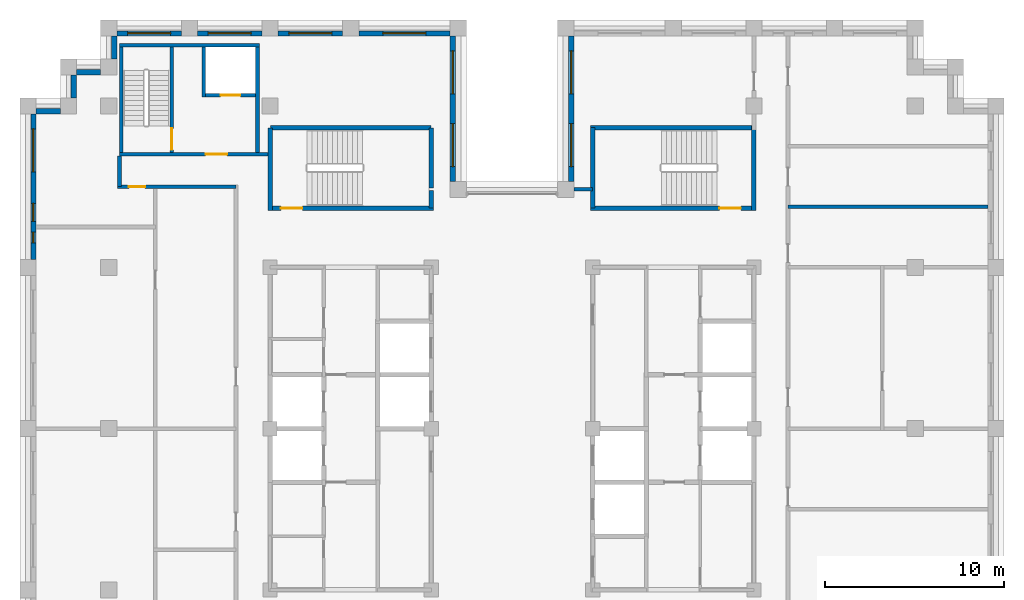
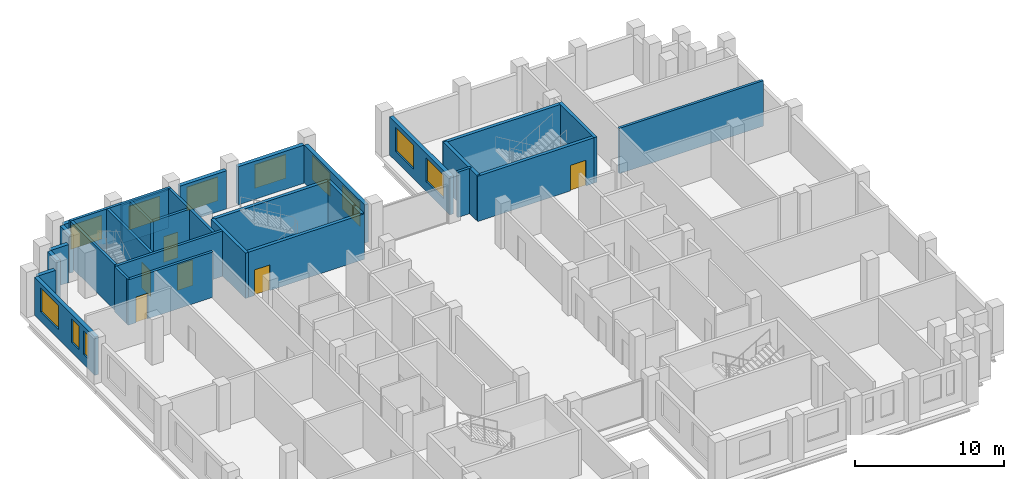
# One storey, part 10 of 13: 31 walls, 11 windows, 6 doors, 17 openings.
"""IFC4 building model written with IfcOpenShell, lengths in metres."""

from ifc_helpers import new_model, si_unit, direction, frame, frame_2d, origin, place, context, subcontext, project, spatial, rectangle, extrude, material, layer, layer_set, type_object, element, fill, save


model = new_model("IFC4")

# Units and contexts
model_context = context("Model", 3, precision=1e-05, world=origin(), true_north=direction((0.0, 1.0)))
body_context = subcontext(model_context, "Body", "Model", "MODEL_VIEW")
ifc_project = project(units=[si_unit("LENGTHUNIT", "METRE"), si_unit("AREAUNIT", "SQUARE_METRE"), si_unit("VOLUMEUNIT", "CUBIC_METRE"), si_unit("PLANEANGLEUNIT", "RADIAN"), si_unit("MASSUNIT", "GRAM", prefix="KILO")], contexts=[model_context])

# Site, building, storey
site_placement = place(None, origin())
site = spatial("IfcSite", under=ifc_project, at=site_placement, CompositionType="ELEMENT")
building_placement = place(site_placement, origin())
building = spatial("IfcBuilding", under=site, at=building_placement, Name="Corbelhall Arena Tower", CompositionType="ELEMENT")
storey_placement = place(building_placement, frame((0.0, 0.0, 262.0)))
storey = spatial("IfcBuildingStorey", under=building, at=storey_placement, Name="L56", CompositionType="ELEMENT", Elevation=262.0)

# Walls
ifc_material_1 = material(Name="Precast concrete C40/50 with granite facing", Category="masonry")
ifc_layer_1 = layer(ifc_material_1, 0.300048828125)
ifc_layer_set_1 = layer_set([ifc_layer_1], Name="EV-IW1 Infill panel 300")
wall_type_1 = type_object("IfcWallType", Name="EV-IW1 Infill panel 300", PredefinedType="SOLIDWALL", material=ifc_layer_set_1)
wall_1_placement = place(storey_placement, frame((-24.449951171875, 19.72509765625, 0.0), z_axis=(0.0, 0.0, 1.0), x_axis=(0.0, -1.0, 0.0)))
element("IfcWall", 1, at=wall_1_placement, inside=storey, type_object=wall_type_1, Name="Infill panel IW1", PredefinedType="SOLIDWALL", context=body_context, shape_type="SweptSolid", body=[
    extrude(rectangle(XDim=1.275146484375, YDim=0.300048828125, at=frame_2d((0.6376953125, 0.0))), origin(), (0.0, 0.0, 1.0), 3.1201171875),
])
wall_2_placement = place(storey_placement, frame((-25.199951171875, 17.699951171875, 0.0), z_axis=(0.0, 0.0, 1.0), x_axis=(-1.0, 0.0, 0.0)))
element("IfcWall", 2, at=wall_2_placement, inside=storey, type_object=wall_type_1, Name="Infill panel IW1", PredefinedType="SOLIDWALL", context=body_context, shape_type="SweptSolid", body=[
    extrude(rectangle(XDim=1.35009765625, YDim=0.300048828125, at=frame_2d((0.675048828125, 0.0))), origin(), (0.0, 0.0, 1.0), 3.1201171875),
])

# Wall, openings, windows
wall_3_placement = place(storey_placement, frame((-26.699951171875, 17.550048828125, 0.0), z_axis=(0.0, 0.0, 1.0), x_axis=(0.0, -1.0, 0.0)))
wall_3 = element("IfcWall", 3, at=wall_3_placement, inside=storey, type_object=wall_type_1, Name="Infill panel IW1", PredefinedType="SOLIDWALL", context=body_context, shape_type="SweptSolid", body=[
    extrude(rectangle(XDim=8.10009765625, YDim=0.300048828125, at=frame_2d((4.050048828125, 0.0))), origin(), (0.0, 0.0, 1.0), 3.1201171875),
])
opening_1_placement = place(wall_3_placement, frame((0.824951171875, 0.0, 0.800048828125)))
opening_1 = element("IfcOpeningElement", 4, at=opening_1_placement, cuts=wall_3, Name="Opening WN1", PredefinedType="OPENING", context=body_context, shape_type="SweptSolid", body=[
    extrude(rectangle(XDim=2.39990234375, YDim=1.949951171875, at=frame_2d((1.199951171875, 0.97509765625))), frame((0.0, 0.14990234375, 0.0), z_axis=(0.0, -1.0, 0.0), x_axis=(1.0, 0.0, 0.0)), (0.0, 0.0, 1.0), 0.300048828125),
])
opening_2_placement = place(wall_3_placement, frame((4.987548828125, 0.0, 0.800048828125)))
opening_2 = element("IfcOpeningElement", 5, at=opening_2_placement, cuts=wall_3, Name="Opening WN6", PredefinedType="OPENING", context=body_context, shape_type="SweptSolid", body=[
    extrude(rectangle(XDim=1.0, YDim=1.949951171875, at=frame_2d((0.5, 0.97509765625))), frame((0.0, 0.14990234375, 0.0), z_axis=(0.0, -1.0, 0.0), x_axis=(1.0, 0.0, 0.0)), (0.0, 0.0, 1.0), 0.300048828125),
])
opening_3_placement = place(wall_3_placement, frame((6.58740234375, 0.0, 0.800048828125)))
opening_3 = element("IfcOpeningElement", 6, at=opening_3_placement, cuts=wall_3, Name="Opening WN5", PredefinedType="OPENING", context=body_context, shape_type="SweptSolid", body=[
    extrude(rectangle(XDim=0.60009765625, YDim=1.949951171875, at=frame_2d((0.300048828125, 0.97509765625))), frame((0.0, 0.14990234375, 0.0), z_axis=(0.0, -1.0, 0.0), x_axis=(1.0, 0.0, 0.0)), (0.0, 0.0, 1.0), 0.300048828125),
])
ifc_material_2 = material(Name="Aluminium black anodised", Category="aluminium")
window_type_1 = type_object("IfcWindowType", Name="EV-WN1 Office window", PartitioningType="SINGLE_PANEL", PredefinedType="WINDOW", material=ifc_material_2)
window_1_placement = place(opening_1_placement, origin())
window_1 = element("IfcWindow", 7, at=window_1_placement, inside=storey, type_object=window_type_1, Name="Window WN1", OverallHeight=1.949951171875, OverallWidth=2.39990234375, PartitioningType="SINGLE_PANEL", PredefinedType="WINDOW", context=body_context, shape_type="SweptSolid", body=[
    extrude(rectangle(XDim=2.39990234375, YDim=1.949951171875, at=frame_2d((1.199951171875, 0.97509765625))), frame((0.0, 0.030029296875, 0.0), z_axis=(0.0, -1.0, 0.0), x_axis=(1.0, 0.0, 0.0)), (0.0, 0.0, 1.0), 0.06005859375),
])
fill(opening_1, window_1)
window_type_2 = type_object("IfcWindowType", Name="EV-WN5 Office window 600", PartitioningType="SINGLE_PANEL", PredefinedType="WINDOW", material=ifc_material_2)
window_2_placement = place(opening_3_placement, origin())
window_2 = element("IfcWindow", 8, at=window_2_placement, inside=storey, type_object=window_type_2, Name="Window WN5", OverallHeight=1.949951171875, OverallWidth=0.60009765625, PartitioningType="SINGLE_PANEL", PredefinedType="WINDOW", context=body_context, shape_type="SweptSolid", body=[
    extrude(rectangle(XDim=0.60009765625, YDim=1.949951171875, at=frame_2d((0.300048828125, 0.97509765625))), frame((0.0, 0.030029296875, 0.0), z_axis=(0.0, -1.0, 0.0), x_axis=(1.0, 0.0, 0.0)), (0.0, 0.0, 1.0), 0.06005859375),
])
fill(opening_3, window_2)
window_type_3 = type_object("IfcWindowType", Name="EV-WN6 Office window 1000", PartitioningType="SINGLE_PANEL", PredefinedType="WINDOW", material=ifc_material_2)
window_3_placement = place(opening_2_placement, origin())
window_3 = element("IfcWindow", 9, at=window_3_placement, inside=storey, type_object=window_type_3, Name="Window WN6", OverallHeight=1.949951171875, OverallWidth=1.0, PartitioningType="SINGLE_PANEL", PredefinedType="WINDOW", context=body_context, shape_type="SweptSolid", body=[
    extrude(rectangle(XDim=1.0, YDim=1.949951171875, at=frame_2d((0.5, 0.97509765625))), frame((0.0, 0.030029296875, 0.0), z_axis=(0.0, -1.0, 0.0), x_axis=(1.0, 0.0, 0.0)), (0.0, 0.0, 1.0), 0.06005859375),
])
fill(opening_2, window_3)

wall_4_placement = place(storey_placement, frame((3.300048828125, 21.89990234375, 0.0), z_axis=(0.0, 0.0, 1.0), x_axis=(0.0, -1.0, 0.0)))
wall_4 = element("IfcWall", 10, at=wall_4_placement, inside=storey, type_object=wall_type_1, Name="Infill panel IW1", PredefinedType="SOLIDWALL", context=body_context, shape_type="SweptSolid", body=[
    extrude(rectangle(XDim=8.099853515625, YDim=0.300048828125, at=frame_2d((4.0498046875, 0.0))), origin(), (0.0, 0.0, 1.0), 3.1201171875),
])
opening_4_placement = place(wall_4_placement, frame((0.824951171875, 0.0, 0.800048828125)))
opening_4 = element("IfcOpeningElement", 11, at=opening_4_placement, cuts=wall_4, Name="Opening WN1", PredefinedType="OPENING", context=body_context, shape_type="SweptSolid", body=[
    extrude(rectangle(XDim=2.39990234375, YDim=1.949951171875, at=frame_2d((1.199951171875, 0.97509765625))), frame((0.0, 0.14990234375, 0.0), z_axis=(0.0, -1.0, 0.0), x_axis=(1.0, 0.0, 0.0)), (0.0, 0.0, 1.0), 0.300048828125),
])
opening_5_placement = place(wall_4_placement, frame((4.875, 0.0, 0.800048828125)))
opening_5 = element("IfcOpeningElement", 12, at=opening_5_placement, cuts=wall_4, Name="Opening WN1", PredefinedType="OPENING", context=body_context, shape_type="SweptSolid", body=[
    extrude(rectangle(XDim=2.39990234375, YDim=1.949951171875, at=frame_2d((1.199951171875, 0.97509765625))), frame((0.0, 0.14990234375, 0.0), z_axis=(0.0, -1.0, 0.0), x_axis=(1.0, 0.0, 0.0)), (0.0, 0.0, 1.0), 0.300048828125),
])
window_4_placement = place(opening_4_placement, origin())
window_4 = element("IfcWindow", 13, at=window_4_placement, inside=storey, type_object=window_type_1, Name="Window WN1", OverallHeight=1.949951171875, OverallWidth=2.39990234375, PartitioningType="SINGLE_PANEL", PredefinedType="WINDOW", context=body_context, shape_type="SweptSolid", body=[
    extrude(rectangle(XDim=2.39990234375, YDim=1.949951171875, at=frame_2d((1.199951171875, 0.97509765625))), frame((0.0, 0.030029296875, 0.0), z_axis=(0.0, -1.0, 0.0), x_axis=(1.0, 0.0, 0.0)), (0.0, 0.0, 1.0), 0.06005859375),
])
fill(opening_4, window_4)
window_5_placement = place(opening_5_placement, origin())
window_5 = element("IfcWindow", 14, at=window_5_placement, inside=storey, type_object=window_type_1, Name="Window WN1", OverallHeight=1.949951171875, OverallWidth=2.39990234375, PartitioningType="SINGLE_PANEL", PredefinedType="WINDOW", context=body_context, shape_type="SweptSolid", body=[
    extrude(rectangle(XDim=2.39990234375, YDim=1.949951171875, at=frame_2d((1.199951171875, 0.97509765625))), frame((0.0, 0.030029296875, 0.0), z_axis=(0.0, -1.0, 0.0), x_axis=(1.0, 0.0, 0.0)), (0.0, 0.0, 1.0), 0.06005859375),
])
fill(opening_5, window_5)

wall_5_placement = place(storey_placement, frame((-3.300048828125, 13.800048828125, 0.0), z_axis=(0.0, 0.0, 1.0), x_axis=(0.0, 1.0, 0.0)))
wall_5 = element("IfcWall", 15, at=wall_5_placement, inside=storey, type_object=wall_type_1, Name="Infill panel IW1", PredefinedType="SOLIDWALL", context=body_context, shape_type="SweptSolid", body=[
    extrude(rectangle(XDim=8.099853515625, YDim=0.300048828125, at=frame_2d((4.0498046875, 0.0))), origin(), (0.0, 0.0, 1.0), 3.1201171875),
])
opening_6_placement = place(wall_5_placement, frame((0.824951171875, 0.0, 0.800048828125)))
opening_6 = element("IfcOpeningElement", 16, at=opening_6_placement, cuts=wall_5, Name="Opening WN1", PredefinedType="OPENING", context=body_context, shape_type="SweptSolid", body=[
    extrude(rectangle(XDim=2.39990234375, YDim=1.949951171875, at=frame_2d((1.199951171875, 0.97509765625))), frame((0.0, 0.14990234375, 0.0), z_axis=(0.0, -1.0, 0.0), x_axis=(1.0, 0.0, 0.0)), (0.0, 0.0, 1.0), 0.300048828125),
])
opening_7_placement = place(wall_5_placement, frame((4.875, 0.0, 0.800048828125)))
opening_7 = element("IfcOpeningElement", 17, at=opening_7_placement, cuts=wall_5, Name="Opening WN1", PredefinedType="OPENING", context=body_context, shape_type="SweptSolid", body=[
    extrude(rectangle(XDim=2.39990234375, YDim=1.949951171875, at=frame_2d((1.199951171875, 0.97509765625))), frame((0.0, 0.14990234375, 0.0), z_axis=(0.0, -1.0, 0.0), x_axis=(1.0, 0.0, 0.0)), (0.0, 0.0, 1.0), 0.300048828125),
])
window_6_placement = place(opening_6_placement, origin())
window_6 = element("IfcWindow", 18, at=window_6_placement, inside=storey, type_object=window_type_1, Name="Window WN1", OverallHeight=1.949951171875, OverallWidth=2.39990234375, PartitioningType="SINGLE_PANEL", PredefinedType="WINDOW", context=body_context, shape_type="SweptSolid", body=[
    extrude(rectangle(XDim=2.39990234375, YDim=1.949951171875, at=frame_2d((1.199951171875, 0.97509765625))), frame((0.0, 0.030029296875, 0.0), z_axis=(0.0, -1.0, 0.0), x_axis=(1.0, 0.0, 0.0)), (0.0, 0.0, 1.0), 0.06005859375),
])
fill(opening_6, window_6)
window_7_placement = place(opening_7_placement, origin())
window_7 = element("IfcWindow", 19, at=window_7_placement, inside=storey, type_object=window_type_1, Name="Window WN1", OverallHeight=1.949951171875, OverallWidth=2.39990234375, PartitioningType="SINGLE_PANEL", PredefinedType="WINDOW", context=body_context, shape_type="SweptSolid", body=[
    extrude(rectangle(XDim=2.39990234375, YDim=1.949951171875, at=frame_2d((1.199951171875, 0.97509765625))), frame((0.0, 0.030029296875, 0.0), z_axis=(0.0, -1.0, 0.0), x_axis=(1.0, 0.0, 0.0)), (0.0, 0.0, 1.0), 0.06005859375),
])
fill(opening_7, window_7)

# Wall, opening, window
wall_6_placement = place(storey_placement, frame((-3.449951171875, 22.050048828125, 0.0), z_axis=(0.0, 0.0, 1.0), x_axis=(-1.0, 0.0, 0.0)))
wall_6 = element("IfcWall", 20, at=wall_6_placement, inside=storey, type_object=wall_type_1, Name="Infill panel IW1", PredefinedType="SOLIDWALL", context=body_context, shape_type="SweptSolid", body=[
    extrude(rectangle(XDim=5.10009765625, YDim=0.300048828125, at=frame_2d((2.550048828125, 0.0))), origin(), (0.0, 0.0, 1.0), 3.1201171875),
])
opening_8_placement = place(wall_6_placement, frame((1.35009765625, 0.0, 0.800048828125)))
opening_8 = element("IfcOpeningElement", 21, at=opening_8_placement, cuts=wall_6, Name="Opening WN1", PredefinedType="OPENING", context=body_context, shape_type="SweptSolid", body=[
    extrude(rectangle(XDim=2.39990234375, YDim=1.949951171875, at=frame_2d((1.199951171875, 0.97509765625))), frame((0.0, 0.14990234375, 0.0), z_axis=(0.0, -1.0, 0.0), x_axis=(1.0, 0.0, 0.0)), (0.0, 0.0, 1.0), 0.300048828125),
])
window_8_placement = place(opening_8_placement, origin())
window_8 = element("IfcWindow", 22, at=window_8_placement, inside=storey, type_object=window_type_1, Name="Window WN1", OverallHeight=1.949951171875, OverallWidth=2.39990234375, PartitioningType="SINGLE_PANEL", PredefinedType="WINDOW", context=body_context, shape_type="SweptSolid", body=[
    extrude(rectangle(XDim=2.39990234375, YDim=1.949951171875, at=frame_2d((1.199951171875, 0.97509765625))), frame((0.0, 0.030029296875, 0.0), z_axis=(0.0, -1.0, 0.0), x_axis=(1.0, 0.0, 0.0)), (0.0, 0.0, 1.0), 0.06005859375),
])
fill(opening_8, window_8)

wall_7_placement = place(storey_placement, frame((-9.449951171875, 22.050048828125, 0.0), z_axis=(0.0, 0.0, 1.0), x_axis=(-1.0, 0.0, 0.0)))
wall_7 = element("IfcWall", 23, at=wall_7_placement, inside=storey, type_object=wall_type_1, Name="Infill panel IW1", PredefinedType="SOLIDWALL", context=body_context, shape_type="SweptSolid", body=[
    extrude(rectangle(XDim=3.60009765625, YDim=0.300048828125, at=frame_2d((1.800048828125, 0.0))), origin(), (0.0, 0.0, 1.0), 3.1201171875),
])
opening_9_placement = place(wall_7_placement, frame((0.60009765625, 0.0, 0.800048828125)))
opening_9 = element("IfcOpeningElement", 24, at=opening_9_placement, cuts=wall_7, Name="Opening WN1", PredefinedType="OPENING", context=body_context, shape_type="SweptSolid", body=[
    extrude(rectangle(XDim=2.39990234375, YDim=1.949951171875, at=frame_2d((1.199951171875, 0.97509765625))), frame((0.0, 0.14990234375, 0.0), z_axis=(0.0, -1.0, 0.0), x_axis=(1.0, 0.0, 0.0)), (0.0, 0.0, 1.0), 0.300048828125),
])
window_9_placement = place(opening_9_placement, origin())
window_9 = element("IfcWindow", 25, at=window_9_placement, inside=storey, type_object=window_type_1, Name="Window WN1", OverallHeight=1.949951171875, OverallWidth=2.39990234375, PartitioningType="SINGLE_PANEL", PredefinedType="WINDOW", context=body_context, shape_type="SweptSolid", body=[
    extrude(rectangle(XDim=2.39990234375, YDim=1.949951171875, at=frame_2d((1.199951171875, 0.97509765625))), frame((0.0, 0.030029296875, 0.0), z_axis=(0.0, -1.0, 0.0), x_axis=(1.0, 0.0, 0.0)), (0.0, 0.0, 1.0), 0.06005859375),
])
fill(opening_9, window_9)

wall_8_placement = place(storey_placement, frame((-13.949951171875, 22.050048828125, 0.0), z_axis=(0.0, 0.0, 1.0), x_axis=(-1.0, 0.0, 0.0)))
wall_8 = element("IfcWall", 26, at=wall_8_placement, inside=storey, type_object=wall_type_1, Name="Infill panel IW1", PredefinedType="SOLIDWALL", context=body_context, shape_type="SweptSolid", body=[
    extrude(rectangle(XDim=3.60009765625, YDim=0.300048828125, at=frame_2d((1.800048828125, 0.0))), origin(), (0.0, 0.0, 1.0), 3.1201171875),
])
opening_10_placement = place(wall_8_placement, frame((0.60009765625, 0.0, 0.800048828125)))
opening_10 = element("IfcOpeningElement", 27, at=opening_10_placement, cuts=wall_8, Name="Opening WN1", PredefinedType="OPENING", context=body_context, shape_type="SweptSolid", body=[
    extrude(rectangle(XDim=2.39990234375, YDim=1.949951171875, at=frame_2d((1.199951171875, 0.97509765625))), frame((0.0, 0.14990234375, 0.0), z_axis=(0.0, -1.0, 0.0), x_axis=(1.0, 0.0, 0.0)), (0.0, 0.0, 1.0), 0.300048828125),
])
window_10_placement = place(opening_10_placement, origin())
window_10 = element("IfcWindow", 28, at=window_10_placement, inside=storey, type_object=window_type_1, Name="Window WN1", OverallHeight=1.949951171875, OverallWidth=2.39990234375, PartitioningType="SINGLE_PANEL", PredefinedType="WINDOW", context=body_context, shape_type="SweptSolid", body=[
    extrude(rectangle(XDim=2.39990234375, YDim=1.949951171875, at=frame_2d((1.199951171875, 0.97509765625))), frame((0.0, 0.030029296875, 0.0), z_axis=(0.0, -1.0, 0.0), x_axis=(1.0, 0.0, 0.0)), (0.0, 0.0, 1.0), 0.06005859375),
])
fill(opening_10, window_10)

wall_9_placement = place(storey_placement, frame((-18.449951171875, 22.050048828125, 0.0), z_axis=(0.0, 0.0, 1.0), x_axis=(-1.0, 0.0, 0.0)))
wall_9 = element("IfcWall", 29, at=wall_9_placement, inside=storey, type_object=wall_type_1, Name="Infill panel IW1", PredefinedType="SOLIDWALL", context=body_context, shape_type="SweptSolid", body=[
    extrude(rectangle(XDim=3.60009765625, YDim=0.300048828125, at=frame_2d((1.800048828125, 0.0))), origin(), (0.0, 0.0, 1.0), 3.1201171875),
])
opening_11_placement = place(wall_9_placement, frame((0.60009765625, 0.0, 0.800048828125)))
opening_11 = element("IfcOpeningElement", 30, at=opening_11_placement, cuts=wall_9, Name="Opening WN1", PredefinedType="OPENING", context=body_context, shape_type="SweptSolid", body=[
    extrude(rectangle(XDim=2.39990234375, YDim=1.949951171875, at=frame_2d((1.199951171875, 0.97509765625))), frame((0.0, 0.14990234375, 0.0), z_axis=(0.0, -1.0, 0.0), x_axis=(1.0, 0.0, 0.0)), (0.0, 0.0, 1.0), 0.300048828125),
])
window_11_placement = place(opening_11_placement, origin())
window_11 = element("IfcWindow", 31, at=window_11_placement, inside=storey, type_object=window_type_1, Name="Window WN1", OverallHeight=1.949951171875, OverallWidth=2.39990234375, PartitioningType="SINGLE_PANEL", PredefinedType="WINDOW", context=body_context, shape_type="SweptSolid", body=[
    extrude(rectangle(XDim=2.39990234375, YDim=1.949951171875, at=frame_2d((1.199951171875, 0.97509765625))), frame((0.0, 0.030029296875, 0.0), z_axis=(0.0, -1.0, 0.0), x_axis=(1.0, 0.0, 0.0)), (0.0, 0.0, 1.0), 0.06005859375),
])
fill(opening_11, window_11)

# Walls
wall_10_placement = place(storey_placement, frame((-22.199951171875, 21.89990234375, 0.0), z_axis=(0.0, 0.0, 1.0), x_axis=(0.0, -1.0, 0.0)))
element("IfcWall", 32, at=wall_10_placement, inside=storey, type_object=wall_type_1, Name="Infill panel IW1", PredefinedType="SOLIDWALL", context=body_context, shape_type="SweptSolid", body=[
    extrude(rectangle(XDim=1.27490234375, YDim=0.300048828125, at=frame_2d((0.637451171875, 0.0))), origin(), (0.0, 0.0, 1.0), 3.1201171875),
])
wall_11_placement = place(storey_placement, frame((-22.949951171875, 19.875, 0.0), z_axis=(0.0, 0.0, 1.0), x_axis=(-1.0, 0.0, 0.0)))
element("IfcWall", 33, at=wall_11_placement, inside=storey, type_object=wall_type_1, Name="Infill panel IW1", PredefinedType="SOLIDWALL", context=body_context, shape_type="SweptSolid", body=[
    extrude(rectangle(XDim=1.35009765625, YDim=0.300048828125, at=frame_2d((0.675048828125, 0.0))), origin(), (0.0, 0.0, 1.0), 3.1201171875),
])
ifc_material_3 = material(Name="Gypsum board on steel stud, acoustic", Category="steel")
ifc_layer_2 = layer(ifc_material_3, 0.199951171875)
ifc_layer_set_2 = layer_set([ifc_layer_2], Name="IN-W-DM200")
wall_type_2 = type_object("IfcWallType", Name="IN-W-DM200", PredefinedType="PARTITIONING", material=ifc_layer_set_2)
wall_12_placement = place(storey_placement, frame((-21.89990234375, 13.5, 0.0), z_axis=(0.0, 0.0, 1.0), x_axis=(0.0, 1.0, 0.0)))
element("IfcWall", 34, at=wall_12_placement, inside=storey, type_object=wall_type_2, Name="Partition 004", PredefinedType="PARTITIONING", context=body_context, shape_type="SweptSolid", body=[
    extrude(rectangle(XDim=1.699951171875, YDim=0.199951171875, at=frame_2d((0.85009765625, 0.0))), origin(), (0.0, 0.0, 1.0), 3.719970703125),
])

# Wall, opening, door
wall_13_placement = place(storey_placement, frame((-15.39990234375, 13.5, 0.0), z_axis=(0.0, 0.0, 1.0), x_axis=(-1.0, 0.0, 0.0)))
wall_13 = element("IfcWall", 35, at=wall_13_placement, inside=storey, type_object=wall_type_2, Name="Partition 008", PredefinedType="PARTITIONING", context=body_context, shape_type="SweptSolid", body=[
    extrude(rectangle(XDim=6.60009765625, YDim=0.199951171875, at=frame_2d((3.300048828125, 0.0))), origin(), (0.0, 0.0, 1.0), 3.719970703125),
])
opening_12_placement = place(wall_13_placement, frame((5.070068359375, 0.0, 0.0)))
opening_12 = element("IfcOpeningElement", 36, at=opening_12_placement, cuts=wall_13, Name="Opening 17038", PredefinedType="OPENING", context=body_context, shape_type="SweptSolid", body=[
    extrude(rectangle(XDim=0.89990234375, YDim=2.10009765625, at=frame_2d((0.449951171875, 1.050048828125))), frame((0.0, 0.10009765625, 0.0), z_axis=(0.0, -1.0, 0.0), x_axis=(1.0, 0.0, 0.0)), (0.0, 0.0, 1.0), 0.199951171875),
])
ifc_material_4 = material(Name="Timber door set", Category="wood")
door_type_1 = type_object("IfcDoorType", Name="IN-D-SW90", OperationType="NOTDEFINED", PredefinedType="DOOR", material=ifc_material_4)
door_1_placement = place(opening_12_placement, origin())
door_1 = element("IfcDoor", 37, at=door_1_placement, inside=storey, type_object=door_type_1, Name="Door 038", OperationType="SINGLE_SWING_LEFT", OverallHeight=2.10009765625, OverallWidth=0.89990234375, PredefinedType="DOOR", context=body_context, shape_type="SweptSolid", body=[
    extrude(rectangle(XDim=0.89990234375, YDim=2.10009765625, at=frame_2d((0.449951171875, 1.050048828125))), frame((0.0, 0.02490234375, 0.0), z_axis=(0.0, -1.0, 0.0), x_axis=(1.0, 0.0, 0.0)), (0.0, 0.0, 1.0), 0.050048828125),
])
fill(opening_12, door_1)

# Walls
wall_14_placement = place(storey_placement, frame((3.450439453125, 13.35009765625, 0.0), z_axis=(0.0, 0.0, 1.0), x_axis=(1.0, 0.0, 0.0)))
element("IfcWall", 38, at=wall_14_placement, inside=storey, type_object=wall_type_2, Name="Partition 012", PredefinedType="PARTITIONING", context=body_context, shape_type="SweptSolid", body=[
    extrude(rectangle(XDim=1.049072265625, YDim=0.199951171875, at=frame_2d((0.5244140625, 0.0))), origin(), (0.0, 0.0, 1.0), 3.719970703125),
])
wall_15_placement = place(storey_placement, frame((15.39990234375, 12.375, 0.0), z_axis=(0.0, 0.0, 1.0), x_axis=(1.0, 0.0, 0.0)))
element("IfcWall", 39, at=wall_15_placement, inside=storey, type_object=wall_type_2, Name="Partition 020", PredefinedType="PARTITIONING", context=body_context, shape_type="SweptSolid", body=[
    extrude(rectangle(XDim=11.150146484375, YDim=0.199951171875, at=frame_2d((5.5751953125, 0.0))), origin(), (0.0, 0.0, 1.0), 3.719970703125),
])

# Wall, opening, door
ifc_material_5 = material(Name="Concrete C40/50", Category="concrete")
ifc_layer_3 = layer(ifc_material_5, 0.199951171875)
ifc_layer_set_3 = layer_set([ifc_layer_3], Name="IN-W-EAR200")
wall_type_3 = type_object("IfcWallType", Name="IN-W-EAR200", PredefinedType="SOLIDWALL", material=ifc_layer_set_3)
wall_16_placement = place(storey_placement, frame((-21.89990234375, 15.300048828125, 0.0), z_axis=(0.0, 0.0, 1.0), x_axis=(1.0, 0.0, 0.0)))
wall_16 = element("IfcWall", 40, at=wall_16_placement, inside=storey, type_object=wall_type_3, Name="Fire service turret wall south", PredefinedType="SOLIDWALL", context=body_context, shape_type="SweptSolid", body=[
    extrude(rectangle(XDim=8.27490234375, YDim=0.199951171875, at=frame_2d((4.137451171875, 0.0))), origin(), (0.0, 0.0, 1.0), 3.719970703125),
])
opening_13_placement = place(wall_16_placement, frame((4.800048828125, 0.0, 0.0)))
opening_13 = element("IfcOpeningElement", 41, at=opening_13_placement, cuts=wall_16, Name="Opening E172", PredefinedType="OPENING", context=body_context, shape_type="SweptSolid", body=[
    extrude(rectangle(XDim=1.199951171875, YDim=2.10009765625, at=frame_2d((0.60009765625, 1.050048828125))), frame((0.0, 0.10009765625, 0.0), z_axis=(0.0, -1.0, 0.0), x_axis=(1.0, 0.0, 0.0)), (0.0, 0.0, 1.0), 0.199951171875),
])
ifc_material_6 = material(Name="Steel door set", Category="steel")
door_type_2 = type_object("IfcDoorType", Name="IN-D-ST120", OperationType="NOTDEFINED", PredefinedType="DOOR", material=ifc_material_6)
door_2_placement = place(opening_13_placement, origin())
door_2 = element("IfcDoor", 42, at=door_2_placement, inside=storey, type_object=door_type_2, Name="Door from fire service lift lobby to circulation", OperationType="SINGLE_SWING_RIGHT", OverallHeight=2.10009765625, OverallWidth=1.199951171875, PredefinedType="DOOR", context=body_context, shape_type="SweptSolid", body=[
    extrude(rectangle(XDim=1.199951171875, YDim=2.10009765625, at=frame_2d((0.60009765625, 1.050048828125))), frame((0.0, 0.02490234375, 0.0), z_axis=(0.0, -1.0, 0.0), x_axis=(1.0, 0.0, 0.0)), (0.0, 0.0, 1.0), 0.050048828125),
])
fill(opening_13, door_2)

# Walls
wall_17_placement = place(storey_placement, frame((-21.89990234375, 21.39990234375, 0.0), z_axis=(0.0, 0.0, 1.0), x_axis=(1.0, 0.0, 0.0)))
element("IfcWall", 43, at=wall_17_placement, inside=storey, type_object=wall_type_3, Name="Fire service turret wall north", PredefinedType="SOLIDWALL", context=body_context, shape_type="SweptSolid", body=[
    extrude(rectangle(XDim=7.7998046875, YDim=0.199951171875, at=frame_2d((3.89990234375, 0.0))), origin(), (0.0, 0.0, 1.0), 3.719970703125),
])
for number, where, z_axis, x_axis, name in (
    (44, (-21.800048828125, 15.39990234375, 0.0), (0.0, 0.0, 1.0), (0.0, 1.0, 0.0), "Fire service turret wall west"),
    (45, (-14.199951171875, 15.39990234375, 0.0), (0.0, 0.0, 1.0), (0.0, 1.0, 0.0), "Fire service turret wall east"),
):
    element("IfcWall", number, at=place(storey_placement, frame(where, z_axis=z_axis, x_axis=x_axis)), inside=storey, type_object=wall_type_3, Name=name, PredefinedType="SOLIDWALL", context=body_context, shape_type="SweptSolid", body=[
        extrude(rectangle(XDim=5.900146484375, YDim=0.199951171875, at=frame_2d((2.9501953125, 0.0))), origin(), (0.0, 0.0, 1.0), 3.719970703125),
    ])

# Wall, opening, door
wall_18_placement = place(storey_placement, frame((-18.989990234375, 15.39990234375, 0.0), z_axis=(0.0, 0.0, 1.0), x_axis=(0.0, 1.0, 0.0)))
wall_18 = element("IfcWall", 46, at=wall_18_placement, inside=storey, type_object=wall_type_3, Name="Fire service turret wall stair", PredefinedType="SOLIDWALL", context=body_context, shape_type="SweptSolid", body=[
    extrude(rectangle(XDim=5.900146484375, YDim=0.199951171875, at=frame_2d((2.9501953125, 0.0))), origin(), (0.0, 0.0, 1.0), 3.719970703125),
])
opening_14_placement = place(wall_18_placement, frame((0.14990234375, 0.0, 0.0)))
opening_14 = element("IfcOpeningElement", 47, at=opening_14_placement, cuts=wall_18, Name="Opening E171", PredefinedType="OPENING", context=body_context, shape_type="SweptSolid", body=[
    extrude(rectangle(XDim=1.199951171875, YDim=2.10009765625, at=frame_2d((0.60009765625, 1.050048828125))), frame((0.0, 0.10009765625, 0.0), z_axis=(0.0, -1.0, 0.0), x_axis=(1.0, 0.0, 0.0)), (0.0, 0.0, 1.0), 0.199951171875),
])
door_3_placement = place(opening_14_placement, origin())
door_3 = element("IfcDoor", 48, at=door_3_placement, inside=storey, type_object=door_type_2, Name="Stair door to fire service lobby", OperationType="SINGLE_SWING_LEFT", OverallHeight=2.10009765625, OverallWidth=1.199951171875, PredefinedType="DOOR", context=body_context, shape_type="SweptSolid", body=[
    extrude(rectangle(XDim=1.199951171875, YDim=2.10009765625, at=frame_2d((0.60009765625, 1.050048828125))), frame((0.0, 0.02490234375, 0.0), z_axis=(0.0, -1.0, 0.0), x_axis=(1.0, 0.0, 0.0)), (0.0, 0.0, 1.0), 0.050048828125),
])
fill(opening_14, door_3)

# Wall
wall_19_placement = place(storey_placement, frame((-17.199951171875, 18.5, 0.0), z_axis=(0.0, 0.0, 1.0), x_axis=(0.0, 1.0, 0.0)))
element("IfcWall", 49, at=wall_19_placement, inside=storey, type_object=wall_type_3, Name="Fire service turret wall hoistway west", PredefinedType="SOLIDWALL", context=body_context, shape_type="SweptSolid", body=[
    extrude(rectangle(XDim=2.800048828125, YDim=0.199951171875, at=frame_2d((1.39990234375, 0.0))), origin(), (0.0, 0.0, 1.0), 3.719970703125),
])

# Wall, opening, door
wall_20_placement = place(storey_placement, frame((-17.10009765625, 18.60009765625, 0.0), z_axis=(0.0, 0.0, 1.0), x_axis=(1.0, 0.0, 0.0)))
wall_20 = element("IfcWall", 50, at=wall_20_placement, inside=storey, type_object=wall_type_3, Name="Fire service turret wall hoistway south", PredefinedType="SOLIDWALL", context=body_context, shape_type="SweptSolid", body=[
    extrude(rectangle(XDim=2.800048828125, YDim=0.199951171875, at=frame_2d((1.39990234375, 0.0))), origin(), (0.0, 0.0, 1.0), 3.719970703125),
])
opening_15_placement = place(wall_20_placement, frame((0.85009765625, 0.0, 0.0)))
opening_15 = element("IfcOpeningElement", 51, at=opening_15_placement, cuts=wall_20, Name="Opening LD", PredefinedType="OPENING", context=body_context, shape_type="SweptSolid", body=[
    extrude(rectangle(XDim=1.10009765625, YDim=2.10009765625, at=frame_2d((0.550048828125, 1.050048828125))), frame((0.0, 0.10009765625, 0.0), z_axis=(0.0, -1.0, 0.0), x_axis=(1.0, 0.0, 0.0)), (0.0, 0.0, 1.0), 0.199951171875),
])
door_type_3 = type_object("IfcDoorType", Name="IN-D-LD110", OperationType="NOTDEFINED", PredefinedType="DOOR", material=ifc_material_6)
door_4_placement = place(opening_15_placement, origin())
door_4 = element("IfcDoor", 52, at=door_4_placement, inside=storey, type_object=door_type_3, Name="Landing door FS1", OperationType="SLIDING_TO_LEFT", OverallHeight=2.10009765625, OverallWidth=1.10009765625, PredefinedType="DOOR", context=body_context, shape_type="SweptSolid", body=[
    extrude(rectangle(XDim=1.10009765625, YDim=2.10009765625, at=frame_2d((0.550048828125, 1.050048828125))), frame((0.0, 0.02490234375, 0.0), z_axis=(0.0, -1.0, 0.0), x_axis=(1.0, 0.0, 0.0)), (0.0, 0.0, 1.0), 0.050048828125),
])
fill(opening_15, door_4)

ifc_layer_4 = layer(ifc_material_5, 0.25)
ifc_layer_set_4 = layer_set([ifc_layer_4], Name="IN-W-ST250")
wall_type_4 = type_object("IfcWallType", Name="IN-W-ST250", PredefinedType="SOLIDWALL", material=ifc_layer_set_4)
wall_21_placement = place(storey_placement, frame((-13.5, 12.300048828125, 0.0), z_axis=(0.0, 0.0, 1.0), x_axis=(1.0, 0.0, 0.0)))
wall_21 = element("IfcWall", 53, at=wall_21_placement, inside=storey, type_object=wall_type_4, Name="Shaft wall 065", PredefinedType="SOLIDWALL", context=body_context, shape_type="SweptSolid", body=[
    extrude(rectangle(XDim=9.125, YDim=0.25, at=frame_2d((4.5625, 0.0))), origin(), (0.0, 0.0, 1.0), 3.719970703125),
])
opening_16_placement = place(wall_21_placement, frame((0.60009765625, 0.0, 0.0)))
opening_16 = element("IfcOpeningElement", 54, at=opening_16_placement, cuts=wall_21, Name="Opening 17015", PredefinedType="OPENING", context=body_context, shape_type="SweptSolid", body=[
    extrude(rectangle(XDim=1.199951171875, YDim=2.10009765625, at=frame_2d((0.60009765625, 1.050048828125))), frame((0.0, 0.125, 0.0), z_axis=(0.0, -1.0, 0.0), x_axis=(1.0, 0.0, 0.0)), (0.0, 0.0, 1.0), 0.25),
])
door_5_placement = place(opening_16_placement, origin())
door_5 = element("IfcDoor", 55, at=door_5_placement, inside=storey, type_object=door_type_2, Name="Door 015", OperationType="SINGLE_SWING_RIGHT", OverallHeight=2.10009765625, OverallWidth=1.199951171875, PredefinedType="DOOR", context=body_context, shape_type="SweptSolid", body=[
    extrude(rectangle(XDim=1.199951171875, YDim=2.10009765625, at=frame_2d((0.60009765625, 1.050048828125))), frame((0.0, 0.02490234375, 0.0), z_axis=(0.0, -1.0, 0.0), x_axis=(1.0, 0.0, 0.0)), (0.0, 0.0, 1.0), 0.050048828125),
])
fill(opening_16, door_5)

# Walls
wall_22_placement = place(storey_placement, frame((-13.5, 16.780029296875, 0.0), z_axis=(0.0, 0.0, 1.0), x_axis=(0.0, -1.0, 0.0)))
element("IfcWall", 56, at=wall_22_placement, inside=storey, type_object=wall_type_4, Name="Shaft wall 066", PredefinedType="SOLIDWALL", context=body_context, shape_type="SweptSolid", body=[
    extrude(rectangle(XDim=4.60498046875, YDim=0.25, at=frame_2d((2.302490234375, 0.0))), origin(), (0.0, 0.0, 1.0), 3.719970703125),
])
wall_23_placement = place(storey_placement, frame((-13.47998046875, 16.800048828125, 0.0), z_axis=(0.0, 0.0, 1.0), x_axis=(1.0, 0.0, 0.0)))
element("IfcWall", 57, at=wall_23_placement, inside=storey, type_object=wall_type_4, Name="Shaft wall 067", PredefinedType="SOLIDWALL", context=body_context, shape_type="SweptSolid", body=[
    extrude(rectangle(XDim=8.9599609375, YDim=0.25, at=frame_2d((4.47998046875, 0.0))), origin(), (0.0, 0.0, 1.0), 3.719970703125),
])
wall_24_placement = place(storey_placement, frame((-4.5, 13.282958984375, 0.0), z_axis=(0.0, 0.0, 1.0), x_axis=(0.0, -1.0, 0.0)))
element("IfcWall", 58, at=wall_24_placement, inside=storey, type_object=wall_type_4, Name="Shaft wall 070", PredefinedType="SOLIDWALL", context=body_context, shape_type="SweptSolid", body=[
    extrude(rectangle(XDim=0.98291015625, YDim=0.25, at=frame_2d((0.491455078125, 0.0))), origin(), (0.0, 0.0, 1.0), 3.719970703125),
])
wall_25_placement = place(storey_placement, frame((-4.5, 16.780029296875, 0.0), z_axis=(0.0, 0.0, 1.0), x_axis=(0.0, -1.0, 0.0)))
element("IfcWall", 59, at=wall_25_placement, inside=storey, type_object=wall_type_4, Name="Shaft wall 071", PredefinedType="SOLIDWALL", context=body_context, shape_type="SweptSolid", body=[
    extrude(rectangle(XDim=3.363037109375, YDim=0.25, at=frame_2d((1.681640625, 0.0))), origin(), (0.0, 0.0, 1.0), 3.719970703125),
])

# Wall, opening, door
wall_26_placement = place(storey_placement, frame((4.375, 12.300048828125, 0.0), z_axis=(0.0, 0.0, 1.0), x_axis=(1.0, 0.0, 0.0)))
wall_26 = element("IfcWall", 60, at=wall_26_placement, inside=storey, type_object=wall_type_4, Name="Shaft wall 073", PredefinedType="SOLIDWALL", context=body_context, shape_type="SweptSolid", body=[
    extrude(rectangle(XDim=9.125, YDim=0.25, at=frame_2d((4.5625, 0.0))), origin(), (0.0, 0.0, 1.0), 3.719970703125),
])
opening_17_placement = place(wall_26_placement, frame((7.199951171875, 0.0, 0.0)))
opening_17 = element("IfcOpeningElement", 61, at=opening_17_placement, cuts=wall_26, Name="Opening 17017", PredefinedType="OPENING", context=body_context, shape_type="SweptSolid", body=[
    extrude(rectangle(XDim=1.199951171875, YDim=2.10009765625, at=frame_2d((0.60009765625, 1.050048828125))), frame((0.0, 0.125, 0.0), z_axis=(0.0, -1.0, 0.0), x_axis=(1.0, 0.0, 0.0)), (0.0, 0.0, 1.0), 0.25),
])
door_6_placement = place(opening_17_placement, origin())
door_6 = element("IfcDoor", 62, at=door_6_placement, inside=storey, type_object=door_type_2, Name="Door 017", OperationType="SINGLE_SWING_RIGHT", OverallHeight=2.10009765625, OverallWidth=1.199951171875, PredefinedType="DOOR", context=body_context, shape_type="SweptSolid", body=[
    extrude(rectangle(XDim=1.199951171875, YDim=2.10009765625, at=frame_2d((0.60009765625, 1.050048828125))), frame((0.0, 0.02490234375, 0.0), z_axis=(0.0, -1.0, 0.0), x_axis=(1.0, 0.0, 0.0)), (0.0, 0.0, 1.0), 0.050048828125),
])
fill(opening_17, door_6)

# Walls
wall_27_placement = place(storey_placement, frame((4.375, 16.800048828125, 0.0), z_axis=(0.0, 0.0, 1.0), x_axis=(1.0, 0.0, 0.0)))
element("IfcWall", 63, at=wall_27_placement, inside=storey, type_object=wall_type_4, Name="Shaft wall 074", PredefinedType="SOLIDWALL", context=body_context, shape_type="SweptSolid", body=[
    extrude(rectangle(XDim=9.125, YDim=0.25, at=frame_2d((4.5625, 0.0))), origin(), (0.0, 0.0, 1.0), 3.719970703125),
])
wall_28_placement = place(storey_placement, frame((4.5, 12.300048828125, 0.0), z_axis=(0.0, 0.0, 1.0), x_axis=(0.0, 1.0, 0.0)))
element("IfcWall", 64, at=wall_28_placement, inside=storey, type_object=wall_type_4, Name="Shaft wall 076", PredefinedType="SOLIDWALL", context=body_context, shape_type="SweptSolid", body=[
    extrude(rectangle(XDim=4.5, YDim=0.25, at=frame_2d((2.25, 0.0))), origin(), (0.0, 0.0, 1.0), 3.719970703125),
])
wall_29_placement = place(storey_placement, frame((13.5, 12.175048828125, 0.0), z_axis=(0.0, 0.0, 1.0), x_axis=(0.0, 1.0, 0.0)))
element("IfcWall", 65, at=wall_29_placement, inside=storey, type_object=wall_type_4, Name="Shaft wall 080", PredefinedType="SOLIDWALL", context=body_context, shape_type="SweptSolid", body=[
    extrude(rectangle(XDim=4.75, YDim=0.25, at=frame_2d((2.375, 0.0))), origin(), (0.0, 0.0, 1.0), 3.719970703125),
])

save(model, "model.ifc")
